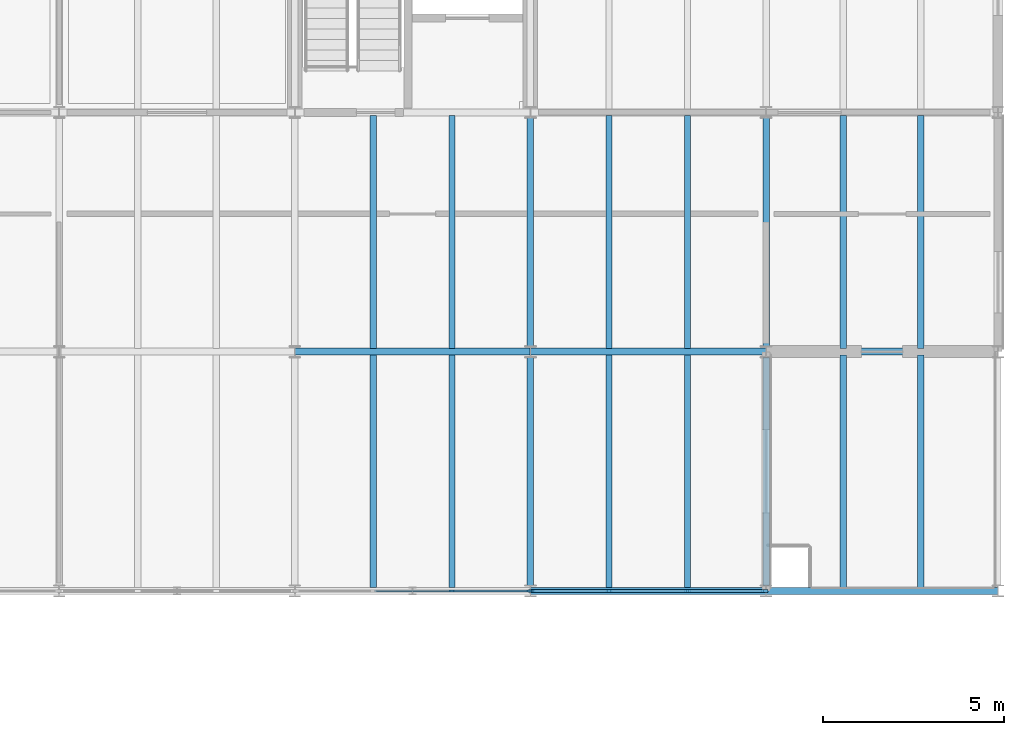
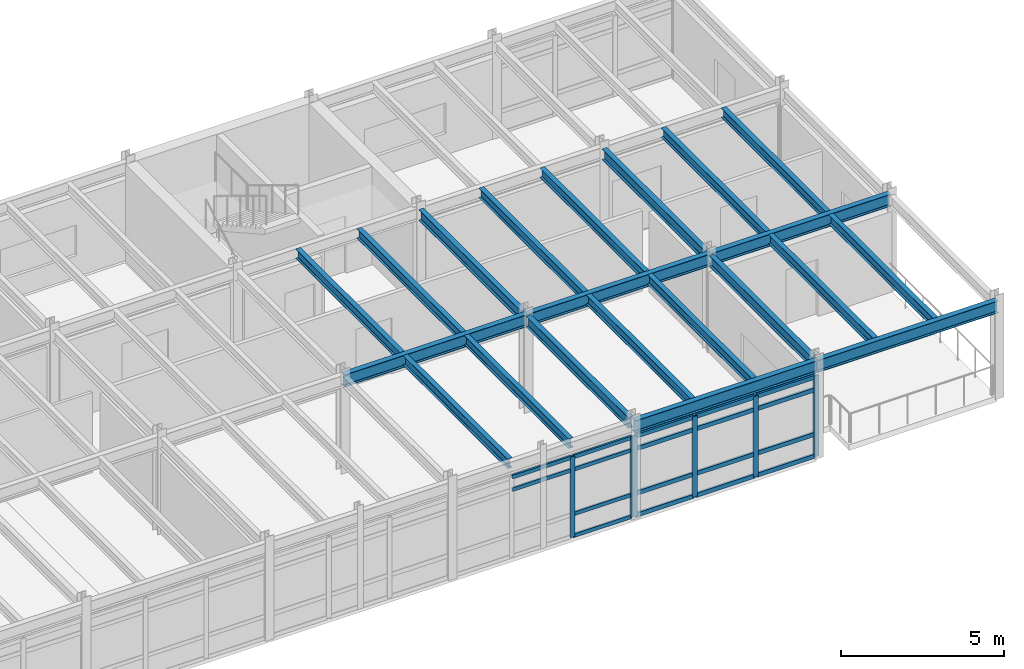
# One storey, part 23 of 49: 24 members, 21 beams, 2 elements without a shape of their own.
"""IFC4 building model written with IfcOpenShell, lengths in metres."""

import ifcopenshell
import ifcopenshell.guid

model = None  # the IFC model being written
_history = None  # IfcOwnerHistory: only IFC2X3 demands one
_inside = {}  # id of a spatial element -> (the spatial element, [elements in it])
_under = {}  # id of a project, library or spatial element -> (it, [spatial elements below it])
_declared = {}  # id of a project -> (the project, [libraries it declares])
_typed = {}  # id of a type object -> (the type object, [elements of that type])
_made_of = {}  # id of a material, layer set ... -> (it, [elements and type objects made of it])


def new_model(schema):
    """Start an empty IFC model of exactly this schema.

    Asked for "IFC4X3", IfcOpenShell would pick the latest addendum, in which some entities
    have other attributes; the version numbers below select the first issue.
    IFC2X3 requires an IfcOwnerHistory on every rooted entity: one is made here for all.
    """
    global model, _history
    if schema == "IFC4X3":
        model = ifcopenshell.file(schema_version=(4, 3, 0, 0))
    else:
        model = ifcopenshell.file(schema=schema)
    _inside.clear()
    _under.clear()
    _declared.clear()
    _typed.clear()
    _made_of.clear()
    _history = None
    if model.schema == "IFC2X3":
        org = make("IfcOrganization", Name="unknown")
        user = make(
            "IfcPersonAndOrganization",
            ThePerson=make("IfcPerson", FamilyName="unknown"),
            TheOrganization=org,
        )
        app = make(
            "IfcApplication",
            ApplicationDeveloper=org,
            Version="unknown",
            ApplicationFullName="unknown",
            ApplicationIdentifier="unknown",
        )
        _history = make(
            "IfcOwnerHistory",
            OwningUser=user,
            OwningApplication=app,
            ChangeAction="ADDED",
            CreationDate=0,
        )
    return model


def make(cls, **values):
    """One entity of the class cls with the attributes given. An attribute that is None is left unset."""
    return model.create_entity(
        cls, **{name: value for name, value in values.items() if value is not None}
    )


def rooted(cls, **values):
    """An entity with a GlobalId (a new one), such as an element, a storey or a relation."""
    return make(cls, GlobalId=ifcopenshell.guid.new(), OwnerHistory=_history, **values)


def si_unit(unit_type, name, prefix=None):
    """IfcSIUnit, for example si_unit("LENGTHUNIT", "METRE", prefix="MILLI")."""
    return make("IfcSIUnit", UnitType=unit_type, Prefix=prefix, Name=name)


def assignment(units):
    """IfcUnitAssignment: the units of a project."""
    return None if units is None else make("IfcUnitAssignment", Units=units)


def point(xyz):
    """IfcCartesianPoint."""
    return None if xyz is None else make("IfcCartesianPoint", Coordinates=xyz)


def direction(xyz):
    """IfcDirection."""
    return None if xyz is None else make("IfcDirection", DirectionRatios=xyz)


def frame(location, z_axis=None, x_axis=None):
    """IfcAxis2Placement3D, a coordinate frame: its origin and axes. An axis left out is left unset."""
    return make(
        "IfcAxis2Placement3D",
        Location=point(location),
        Axis=direction(z_axis),
        RefDirection=direction(x_axis),
    )


def frame_2d(location, x_axis=None):
    """IfcAxis2Placement2D, a coordinate frame in the plane: its origin and x axis."""
    return make(
        "IfcAxis2Placement2D", Location=point(location), RefDirection=direction(x_axis)
    )


def origin():
    """The frame at (0, 0, 0) with its axes left unset."""
    return frame((0.0, 0.0, 0.0))


def origin_2d():
    """The frame at (0, 0) in the plane with its x axis left unset."""
    return frame_2d((0.0, 0.0))


def place(relative_to, where):
    """IfcLocalPlacement: puts the frame where relative to a parent placement (None: the world)."""
    return make(
        "IfcLocalPlacement", PlacementRelTo=relative_to, RelativePlacement=where
    )


def context(
    kind, dimensions, precision=None, world=None, true_north=None, identifier=None
):
    """IfcGeometricRepresentationContext, for example the 3D "Model" context."""
    return make(
        "IfcGeometricRepresentationContext",
        ContextIdentifier=identifier,
        ContextType=kind,
        CoordinateSpaceDimension=dimensions,
        Precision=precision,
        WorldCoordinateSystem=world,
        TrueNorth=true_north,
    )


def subcontext(parent, identifier, kind, view, scale=None):
    """IfcGeometricRepresentationSubContext, for example "Body" below "Model"."""
    return make(
        "IfcGeometricRepresentationSubContext",
        ContextIdentifier=identifier,
        ContextType=kind,
        ParentContext=parent,
        TargetScale=scale,
        TargetView=view,
    )


def project(units=None, contexts=None):
    """IfcProject with its units and contexts."""
    return rooted(
        "IfcProject",
        Name="project",
        RepresentationContexts=contexts,
        UnitsInContext=assignment(units),
    )


def spatial(cls, under=None, at=None, **own):
    """A site, building, storey or space (cls), placed at a placement, below another one or the project."""
    s = rooted(cls, ObjectPlacement=at, **own)
    if under is not None:
        _under.setdefault(under.id(), (under, []))[1].append(s)
    return s


def profile(cls, at=None, kind="AREA", **sizes):
    """A parametric profile (cls). Its sizes go by their IFC names, for example OverallWidth=200.0."""
    return make(cls, ProfileType=kind, Position=at, **sizes)


def rectangle(**sizes):
    """IfcRectangleProfileDef."""
    return profile("IfcRectangleProfileDef", **sizes)


def i_section(**sizes):
    """IfcIShapeProfileDef."""
    return profile("IfcIShapeProfileDef", **sizes)


def extrude(swept, where, along, depth):
    """IfcExtrudedAreaSolid: the profile swept, set in the frame where, extruded along a direction by depth."""
    return make(
        "IfcExtrudedAreaSolid",
        SweptArea=swept,
        Position=where,
        ExtrudedDirection=direction(along),
        Depth=depth,
    )


def shape(context_of_items, identifier, shape_type, items):
    """IfcShapeRepresentation: the items that make up one representation, for example the "Body"."""
    return make(
        "IfcShapeRepresentation",
        ContextOfItems=context_of_items,
        RepresentationIdentifier=identifier,
        RepresentationType=shape_type,
        Items=items,
    )


def material(Name=None, Category=None):
    """IfcMaterial."""
    return make("IfcMaterial", Name=Name, Category=Category)


def layer(
    of_material, thickness, ventilated=None, Name=None, Category=None, Priority=None
):
    """IfcMaterialLayer: one layer of a wall or slab, of a material (None: an air gap)."""
    return make(
        "IfcMaterialLayer",
        Material=of_material,
        LayerThickness=thickness,
        IsVentilated=ventilated,
        Name=Name,
        Category=Category,
        Priority=Priority,
    )


def layer_set(layers, Name=None):
    """IfcMaterialLayerSet."""
    return make("IfcMaterialLayerSet", MaterialLayers=layers, LayerSetName=Name)


def material_profile(
    of_material, cross_section, Name=None, Category=None, Priority=None
):
    """IfcMaterialProfile: a cross section and its material."""
    return make(
        "IfcMaterialProfile",
        Name=Name,
        Material=of_material,
        Profile=cross_section,
        Priority=Priority,
        Category=Category,
    )


def profile_set(profiles, Name=None, composite=None):
    """IfcMaterialProfileSet."""
    return make(
        "IfcMaterialProfileSet",
        Name=Name,
        MaterialProfiles=profiles,
        CompositeProfile=composite,
    )


def made_of(thing, what):
    """Note that an element or type object is made of a material, layer set ...; save() writes the relation."""
    if what is not None:
        _made_of.setdefault(what.id(), (what, []))[1].append(thing)
    return thing


def type_object(cls, material=None, **own):
    """A type object (cls), such as IfcWallType, which elements share."""
    return made_of(rooted(cls, **own), material)


def element(
    cls,
    number,
    at=None,
    inside=None,
    cuts=None,
    type_object=None,
    material=None,
    context=None,
    identifier="Body",
    shape_type=None,
    held_by="IfcProductDefinitionShape",
    body=None,
    shapes=None,
    **own,
):
    """One element of the class cls, such as IfcWall. Its Tag is "e" and its number.

    at: its placement. inside: the storey or other place that contains it. cuts: it is an
    opening in that element (IfcRelVoidsElement). A single representation is given by context,
    identifier, shape_type and body (its items); several are given by shapes. held_by: the class
    of the entity that holds the representations. save() writes the other relations.
    """
    e = rooted(cls, Tag="e%d" % number, ObjectPlacement=at, **own)
    if body is not None:
        shapes = [shape(context, identifier, shape_type, body)]
    if shapes is not None:
        e.Representation = make(held_by, Representations=shapes)
    if inside is not None:
        _inside.setdefault(inside.id(), (inside, []))[1].append(e)
    if cuts is not None:
        rooted(
            "IfcRelVoidsElement", RelatingBuildingElement=cuts, RelatedOpeningElement=e
        )
    if type_object is not None:
        _typed.setdefault(type_object.id(), (type_object, []))[1].append(e)
    return made_of(e, material)


def aggregate(whole, parts):
    """IfcRelAggregates: a whole, such as a stair, and the parts it consists of."""
    return rooted("IfcRelAggregates", RelatingObject=whole, RelatedObjects=parts)


def save(model, path):
    """Write the relations noted so far, then the file.

    IfcRelAggregates (storeys below a building ...), IfcRelContainedInSpatialStructure (elements
    in a storey), IfcRelDefinesByType, IfcRelAssociatesMaterial and IfcRelDeclares: one each for
    every whole, place, type object, material and project.
    """
    for whole, parts in _under.values():
        aggregate(whole, parts)
    for where, things in _inside.values():
        rooted(
            "IfcRelContainedInSpatialStructure",
            RelatedElements=things,
            RelatingStructure=where,
        )
    for kind, things in _typed.values():
        rooted("IfcRelDefinesByType", RelatedObjects=things, RelatingType=kind)
    for what, things in _made_of.values():
        rooted("IfcRelAssociatesMaterial", RelatedObjects=things, RelatingMaterial=what)
    for by, libraries in _declared.values():
        rooted("IfcRelDeclares", RelatingContext=by, RelatedDefinitions=libraries)
    model.write(path)


model = new_model("IFC4")

# Units and contexts
model_context = context("Model", 3, precision=1e-05, world=origin(), true_north=direction((0.0, 1.0)))
body_context = subcontext(model_context, "Body", "Model", "MODEL_VIEW")
ifc_project = project(units=[si_unit("LENGTHUNIT", "METRE"), si_unit("AREAUNIT", "SQUARE_METRE"), si_unit("VOLUMEUNIT", "CUBIC_METRE"), si_unit("PLANEANGLEUNIT", "RADIAN"), si_unit("MASSUNIT", "GRAM", prefix="KILO")], contexts=[model_context])

# Site, building, storey
site_placement = place(None, origin())
site = spatial("IfcSite", under=ifc_project, at=site_placement, CompositionType="ELEMENT")
building_placement = place(site_placement, origin())
building = spatial("IfcBuilding", under=site, at=building_placement, Name="Trelmorton Wharf Fire Station", CompositionType="ELEMENT")
storey_placement = place(building_placement, frame((0.0, 0.0, 9.60009765625)))
storey = spatial("IfcBuildingStorey", under=building, at=storey_placement, Name="L02", CompositionType="ELEMENT", Elevation=9.60009765625)

# Beams
ifc_material_1 = material(Name="Steel Grade 350", Category="steel")
ifc_material_profile_1 = material_profile(ifc_material_1, i_section(OverallWidth=0.177978515625, OverallDepth=0.406005859375, WebThickness=0.0078125, FlangeThickness=0.0126953125, FilletRadius=0.011474609375, at=origin_2d()), Name="410UB59.7")
ifc_profile_set_1 = profile_set([ifc_material_profile_1], Name="Steel Grade 350")
beam_type_1 = type_object("IfcBeamType", Name="BM_410UB60", PredefinedType="BEAM", material=ifc_profile_set_1)
beam_1_placement = place(storey_placement, frame((149.5, 7.95654296875, 3.427001953125), z_axis=(0.0, 1.0, 0.0), x_axis=(-1.0, 0.0, 0.0)))
element("IfcBeam", 1, at=beam_1_placement, inside=storey, type_object=beam_type_1, Name="BM-L02-0855", PredefinedType="BEAM", context=body_context, shape_type="SweptSolid", body=[
    extrude(i_section(OverallWidth=0.177978515625, OverallDepth=0.406005859375, WebThickness=0.0078125, FlangeThickness=0.0126953125, FilletRadius=0.011474609375, at=origin_2d()), origin(), (0.0, 0.0, 1.0), 6.286865234375),
])
beam_2_placement = place(storey_placement, frame((149.5, 14.556396484375, 3.427001953125), z_axis=(0.0, 1.0, 0.0), x_axis=(-1.0, 0.0, 0.0)))
element("IfcBeam", 2, at=beam_2_placement, inside=storey, type_object=beam_type_1, Name="BM-L02-0856", PredefinedType="BEAM", context=body_context, shape_type="SweptSolid", body=[
    extrude(i_section(OverallWidth=0.177978515625, OverallDepth=0.406005859375, WebThickness=0.0078125, FlangeThickness=0.0126953125, FilletRadius=0.011474609375, at=origin_2d()), origin(), (0.0, 0.0, 1.0), 6.287109375),
])
beam_3_placement = place(storey_placement, frame((156.0, 7.95654296875, 3.427001953125), z_axis=(0.0, 1.0, 0.0), x_axis=(-1.0, 0.0, 0.0)))
element("IfcBeam", 3, at=beam_3_placement, inside=storey, type_object=beam_type_1, Name="BM-L02-0861", PredefinedType="BEAM", context=body_context, shape_type="SweptSolid", body=[
    extrude(i_section(OverallWidth=0.177978515625, OverallDepth=0.406005859375, WebThickness=0.0078125, FlangeThickness=0.0126953125, FilletRadius=0.011474609375, at=origin_2d()), origin(), (0.0, 0.0, 1.0), 6.286865234375),
])
beam_4_placement = place(storey_placement, frame((156.0, 14.556396484375, 3.427001953125), z_axis=(0.0, 1.0, 0.0), x_axis=(-1.0, 0.0, 0.0)))
element("IfcBeam", 4, at=beam_4_placement, inside=storey, type_object=beam_type_1, Name="BM-L02-0862", PredefinedType="BEAM", context=body_context, shape_type="SweptSolid", body=[
    extrude(i_section(OverallWidth=0.177978515625, OverallDepth=0.406005859375, WebThickness=0.0078125, FlangeThickness=0.0126953125, FilletRadius=0.011474609375, at=origin_2d()), origin(), (0.0, 0.0, 1.0), 6.287109375),
])
ifc_material_profile_2 = material_profile(ifc_material_1, i_section(OverallWidth=0.19091796875, OverallDepth=0.4599609375, WebThickness=0.010009765625, FlangeThickness=0.01611328125, FilletRadius=0.011474609375, at=origin_2d()), Name="460UB82.1")
ifc_profile_set_2 = profile_set([ifc_material_profile_2], Name="Steel Grade 350")
beam_type_2 = type_object("IfcBeamType", Name="BM_460UB82", PredefinedType="BEAM", material=ifc_profile_set_2)
for number, where, z_axis, x_axis, name in (
    (5, (143.0048828125, 14.39990234375, 3.39990234375), (1.0, 0.0, 0.0), (0.0, 1.0, 0.0), "BM-L02-0701"),
    (6, (149.5048828125, 14.39990234375, 3.39990234375), (1.0, 0.0, 0.0), (0.0, 1.0, 0.0), "BM-L02-0702"),
):
    element("IfcBeam", number, at=place(storey_placement, frame(where, z_axis=z_axis, x_axis=x_axis)), inside=storey, type_object=beam_type_2, Name=name, PredefinedType="BEAM", context=body_context, shape_type="SweptSolid", body=[
        extrude(i_section(OverallWidth=0.19091796875, OverallDepth=0.4599609375, WebThickness=0.010009765625, FlangeThickness=0.01611328125, FilletRadius=0.011474609375, at=origin_2d()), origin(), (0.0, 0.0, 1.0), 6.490234375),
    ])
beam_5_placement = place(storey_placement, frame((156.0048828125, 14.39990234375, 3.39990234375), z_axis=(1.0, 0.0, 0.0), x_axis=(0.0, 1.0, 0.0)))
element("IfcBeam", 7, at=beam_5_placement, inside=storey, type_object=beam_type_2, Name="BM-L02-0703", PredefinedType="BEAM", context=body_context, shape_type="SweptSolid", body=[
    extrude(i_section(OverallWidth=0.19091796875, OverallDepth=0.4599609375, WebThickness=0.010009765625, FlangeThickness=0.01611328125, FilletRadius=0.011474609375, at=origin_2d()), origin(), (0.0, 0.0, 1.0), 6.39013671875),
])

# Curtain wall, members
ifc_material_2 = material(Name="Anodised aluminium AW-6063", Category="aluminium")
ifc_layer_1 = layer(ifc_material_2, 0.159912109375)
ifc_layer_set_1 = layer_set([ifc_layer_1], Name="Anodised aluminium AW-6063")
curtain_wall_type_1 = type_object("IfcCurtainWallType", Name="CW_CHIC_A", PredefinedType="USERDEFINED", material=ifc_layer_set_1)
curtain_wall_1_placement = place(storey_placement, origin())
curtain_wall_1 = element("IfcCurtainWall", 8, at=curtain_wall_1_placement, inside=storey, type_object=curtain_wall_type_1, Name="CW-V5-L02-055", ObjectType="CHICAGO BAY CURTAIN WALL", PredefinedType="USERDEFINED")
ifc_material_profile_3 = material_profile(ifc_material_2, rectangle(XDim=0.06494140625, YDim=0.159912109375, at=origin_2d()), Name="ALU-65x160")
ifc_profile_set_3 = profile_set([ifc_material_profile_3], Name="Anodised aluminium AW-6063")
member_type_1 = type_object("IfcMemberType", Name="CWM_65x160", PredefinedType="MULLION", material=ifc_profile_set_3)
member_1_placement = place(storey_placement, frame((149.465087890625, 7.800048828125, 0.0), z_axis=(0.0, 0.0, 1.0), x_axis=(0.0, -1.0, 0.0)))
member_1 = element("IfcMember", 9, at=member_1_placement, type_object=member_type_1, Name="CW1 mullion 1", PredefinedType="MULLION", context=body_context, shape_type="SweptSolid", body=[
    extrude(rectangle(XDim=0.06494140625, YDim=0.159912109375, at=origin_2d()), origin(), (0.0, 0.0, 1.0), 3.02001953125),
])
member_2_placement = place(storey_placement, frame((147.331787109375, 7.800048828125, 0.0), z_axis=(0.0, 0.0, 1.0), x_axis=(0.0, -1.0, 0.0)))
member_2 = element("IfcMember", 10, at=member_2_placement, type_object=member_type_1, Name="CW1 mullion 2", PredefinedType="MULLION", context=body_context, shape_type="SweptSolid", body=[
    extrude(rectangle(XDim=0.06494140625, YDim=0.159912109375, at=origin_2d()), origin(), (0.0, 0.0, 1.0), 3.02001953125),
])

ifc_layer_2 = layer(ifc_material_2, 0.175048828125)
ifc_layer_set_2 = layer_set([ifc_layer_2], Name="Anodised aluminium AW-6063")
curtain_wall_type_2 = type_object("IfcCurtainWallType", Name="CW_CHIC_B", PredefinedType="USERDEFINED", material=ifc_layer_set_2)
curtain_wall_2_placement = place(storey_placement, origin())
curtain_wall_2 = element("IfcCurtainWall", 11, at=curtain_wall_2_placement, inside=storey, type_object=curtain_wall_type_2, Name="CW-V5-L02-056", ObjectType="CHICAGO BAY CURTAIN WALL", PredefinedType="USERDEFINED")
ifc_material_profile_4 = material_profile(ifc_material_2, rectangle(XDim=0.074951171875, YDim=0.175048828125, at=origin_2d()), Name="ALU-75x175")
ifc_profile_set_4 = profile_set([ifc_material_profile_4], Name="Anodised aluminium AW-6063")
member_type_2 = type_object("IfcMemberType", Name="CWM_75x175", PredefinedType="MULLION", material=ifc_profile_set_4)
member_3_placement = place(storey_placement, frame((155.965087890625, 7.800048828125, 0.0), z_axis=(0.0, 0.0, 1.0), x_axis=(0.0, -1.0, 0.0)))
member_3 = element("IfcMember", 12, at=member_3_placement, type_object=member_type_2, Name="CW2 mullion 1", PredefinedType="MULLION", context=body_context, shape_type="SweptSolid", body=[
    extrude(rectangle(XDim=0.074951171875, YDim=0.175048828125, at=origin_2d()), origin(), (0.0, 0.0, 1.0), 3.02001953125),
])
member_4_placement = place(storey_placement, frame((153.831787109375, 7.800048828125, 0.0), z_axis=(0.0, 0.0, 1.0), x_axis=(0.0, -1.0, 0.0)))
member_4 = element("IfcMember", 13, at=member_4_placement, type_object=member_type_2, Name="CW2 mullion 2", PredefinedType="MULLION", context=body_context, shape_type="SweptSolid", body=[
    extrude(rectangle(XDim=0.074951171875, YDim=0.175048828125, at=origin_2d()), origin(), (0.0, 0.0, 1.0), 3.02001953125),
])
member_5_placement = place(storey_placement, frame((151.668212890625, 7.800048828125, 0.0), z_axis=(0.0, 0.0, 1.0), x_axis=(0.0, -1.0, 0.0)))
member_5 = element("IfcMember", 14, at=member_5_placement, type_object=member_type_2, Name="CW2 mullion 3", PredefinedType="MULLION", context=body_context, shape_type="SweptSolid", body=[
    extrude(rectangle(XDim=0.074951171875, YDim=0.175048828125, at=origin_2d()), origin(), (0.0, 0.0, 1.0), 3.02001953125),
])
member_6_placement = place(storey_placement, frame((149.534912109375, 7.800048828125, 0.0), z_axis=(0.0, 0.0, 1.0), x_axis=(0.0, -1.0, 0.0)))
member_6 = element("IfcMember", 15, at=member_6_placement, type_object=member_type_2, Name="CW2 mullion 4", PredefinedType="MULLION", context=body_context, shape_type="SweptSolid", body=[
    extrude(rectangle(XDim=0.074951171875, YDim=0.175048828125, at=origin_2d()), origin(), (0.0, 0.0, 1.0), 3.02001953125),
])

# Member
ifc_material_profile_5 = material_profile(ifc_material_2, rectangle(XDim=0.06494140625, YDim=0.139892578125, at=origin_2d()), Name="ALU-65x140")
ifc_profile_set_5 = profile_set([ifc_material_profile_5], Name="Anodised aluminium AW-6063")
member_type_3 = type_object("IfcMemberType", Name="CWT_65x140", PredefinedType="USERDEFINED", material=ifc_profile_set_5)
member_7_placement = place(storey_placement, frame((149.43505859375, 7.800048828125, 0.02978515625), z_axis=(-1.0, 0.0, 0.0), x_axis=(0.0, -1.0, 0.0)))
member_7 = element("IfcMember", 16, at=member_7_placement, type_object=member_type_3, Name="CW1 transom 1.1", ObjectType="TRANSOM", PredefinedType="USERDEFINED", context=body_context, shape_type="SweptSolid", body=[
    extrude(rectangle(XDim=0.06494140625, YDim=0.139892578125, at=origin_2d()), origin(), (0.0, 0.0, 1.0), 2.073486328125),
])

member_8_placement = place(storey_placement, frame((149.43505859375, 7.800048828125, 0.849853515625), z_axis=(-1.0, 0.0, 0.0), x_axis=(0.0, -1.0, 0.0)))
member_8 = element("IfcMember", 17, at=member_8_placement, type_object=member_type_3, Name="CW1 transom 1.2", ObjectType="TRANSOM", PredefinedType="USERDEFINED", context=body_context, shape_type="SweptSolid", body=[
    extrude(rectangle(XDim=0.06494140625, YDim=0.139892578125, at=origin_2d()), origin(), (0.0, 0.0, 1.0), 2.073486328125),
])

member_9_placement = place(storey_placement, frame((149.43505859375, 7.800048828125, 2.52001953125), z_axis=(-1.0, 0.0, 0.0), x_axis=(0.0, -1.0, 0.0)))
member_9 = element("IfcMember", 18, at=member_9_placement, type_object=member_type_3, Name="CW1 transom 1.3", ObjectType="TRANSOM", PredefinedType="USERDEFINED", context=body_context, shape_type="SweptSolid", body=[
    extrude(rectangle(XDim=0.06494140625, YDim=0.139892578125, at=origin_2d()), origin(), (0.0, 0.0, 1.0), 2.073486328125),
])

member_10_placement = place(storey_placement, frame((149.43505859375, 7.800048828125, 2.989990234375), z_axis=(-1.0, 0.0, 0.0), x_axis=(0.0, -1.0, 0.0)))
member_10 = element("IfcMember", 19, at=member_10_placement, type_object=member_type_3, Name="CW1 transom 1.4", ObjectType="TRANSOM", PredefinedType="USERDEFINED", context=body_context, shape_type="SweptSolid", body=[
    extrude(rectangle(XDim=0.06494140625, YDim=0.139892578125, at=origin_2d()), origin(), (0.0, 0.0, 1.0), 2.073486328125),
])

member_11_placement = place(storey_placement, frame((147.3017578125, 7.800048828125, 2.52001953125), z_axis=(-1.0, 0.0, 0.0), x_axis=(0.0, -1.0, 0.0)))
member_11 = element("IfcMember", 20, at=member_11_placement, type_object=member_type_3, Name="CW1 transom 2.3", ObjectType="TRANSOM", PredefinedType="USERDEFINED", context=body_context, shape_type="SweptSolid", body=[
    extrude(rectangle(XDim=0.06494140625, YDim=0.139892578125, at=origin_2d()), origin(), (0.0, 0.0, 1.0), 2.103515625),
])

member_12_placement = place(storey_placement, frame((147.3017578125, 7.800048828125, 2.989990234375), z_axis=(-1.0, 0.0, 0.0), x_axis=(0.0, -1.0, 0.0)))
member_12 = element("IfcMember", 21, at=member_12_placement, type_object=member_type_3, Name="CW1 transom 2.4", ObjectType="TRANSOM", PredefinedType="USERDEFINED", context=body_context, shape_type="SweptSolid", body=[
    extrude(rectangle(XDim=0.06494140625, YDim=0.139892578125, at=origin_2d()), origin(), (0.0, 0.0, 1.0), 2.103515625),
])

aggregate(curtain_wall_1, [member_1, member_2, member_7, member_8, member_9, member_10, member_11, member_12])

ifc_material_profile_6 = material_profile(ifc_material_2, rectangle(XDim=0.074951171875, YDim=0.155029296875, at=origin_2d()), Name="ALU-75x155")
ifc_profile_set_6 = profile_set([ifc_material_profile_6], Name="Anodised aluminium AW-6063")
member_type_4 = type_object("IfcMemberType", Name="CWT_75x155", PredefinedType="USERDEFINED", material=ifc_profile_set_6)
member_13_placement = place(storey_placement, frame((155.93505859375, 7.800048828125, 0.02978515625), z_axis=(-1.0, 0.0, 0.0), x_axis=(0.0, -1.0, 0.0)))
member_13 = element("IfcMember", 22, at=member_13_placement, type_object=member_type_4, Name="CW2 transom 1.1", ObjectType="TRANSOM", PredefinedType="USERDEFINED", context=body_context, shape_type="SweptSolid", body=[
    extrude(rectangle(XDim=0.074951171875, YDim=0.155029296875, at=origin_2d()), origin(), (0.0, 0.0, 1.0), 2.073486328125),
])

member_14_placement = place(storey_placement, frame((155.93505859375, 7.800048828125, 0.849853515625), z_axis=(-1.0, 0.0, 0.0), x_axis=(0.0, -1.0, 0.0)))
member_14 = element("IfcMember", 23, at=member_14_placement, type_object=member_type_4, Name="CW2 transom 1.2", ObjectType="TRANSOM", PredefinedType="USERDEFINED", context=body_context, shape_type="SweptSolid", body=[
    extrude(rectangle(XDim=0.074951171875, YDim=0.155029296875, at=origin_2d()), origin(), (0.0, 0.0, 1.0), 2.073486328125),
])

member_15_placement = place(storey_placement, frame((155.93505859375, 7.800048828125, 2.52001953125), z_axis=(-1.0, 0.0, 0.0), x_axis=(0.0, -1.0, 0.0)))
member_15 = element("IfcMember", 24, at=member_15_placement, type_object=member_type_4, Name="CW2 transom 1.3", ObjectType="TRANSOM", PredefinedType="USERDEFINED", context=body_context, shape_type="SweptSolid", body=[
    extrude(rectangle(XDim=0.074951171875, YDim=0.155029296875, at=origin_2d()), origin(), (0.0, 0.0, 1.0), 2.073486328125),
])

member_16_placement = place(storey_placement, frame((155.93505859375, 7.800048828125, 2.989990234375), z_axis=(-1.0, 0.0, 0.0), x_axis=(0.0, -1.0, 0.0)))
member_16 = element("IfcMember", 25, at=member_16_placement, type_object=member_type_4, Name="CW2 transom 1.4", ObjectType="TRANSOM", PredefinedType="USERDEFINED", context=body_context, shape_type="SweptSolid", body=[
    extrude(rectangle(XDim=0.074951171875, YDim=0.155029296875, at=origin_2d()), origin(), (0.0, 0.0, 1.0), 2.073486328125),
])

member_17_placement = place(storey_placement, frame((153.8017578125, 7.800048828125, 0.02978515625), z_axis=(-1.0, 0.0, 0.0), x_axis=(0.0, -1.0, 0.0)))
member_17 = element("IfcMember", 26, at=member_17_placement, type_object=member_type_4, Name="CW2 transom 2.1", ObjectType="TRANSOM", PredefinedType="USERDEFINED", context=body_context, shape_type="SweptSolid", body=[
    extrude(rectangle(XDim=0.074951171875, YDim=0.155029296875, at=origin_2d()), origin(), (0.0, 0.0, 1.0), 2.103515625),
])

member_18_placement = place(storey_placement, frame((153.8017578125, 7.800048828125, 0.849853515625), z_axis=(-1.0, 0.0, 0.0), x_axis=(0.0, -1.0, 0.0)))
member_18 = element("IfcMember", 27, at=member_18_placement, type_object=member_type_4, Name="CW2 transom 2.2", ObjectType="TRANSOM", PredefinedType="USERDEFINED", context=body_context, shape_type="SweptSolid", body=[
    extrude(rectangle(XDim=0.074951171875, YDim=0.155029296875, at=origin_2d()), origin(), (0.0, 0.0, 1.0), 2.103515625),
])

member_19_placement = place(storey_placement, frame((153.8017578125, 7.800048828125, 2.52001953125), z_axis=(-1.0, 0.0, 0.0), x_axis=(0.0, -1.0, 0.0)))
member_19 = element("IfcMember", 28, at=member_19_placement, type_object=member_type_4, Name="CW2 transom 2.3", ObjectType="TRANSOM", PredefinedType="USERDEFINED", context=body_context, shape_type="SweptSolid", body=[
    extrude(rectangle(XDim=0.074951171875, YDim=0.155029296875, at=origin_2d()), origin(), (0.0, 0.0, 1.0), 2.103515625),
])

member_20_placement = place(storey_placement, frame((153.8017578125, 7.800048828125, 2.989990234375), z_axis=(-1.0, 0.0, 0.0), x_axis=(0.0, -1.0, 0.0)))
member_20 = element("IfcMember", 29, at=member_20_placement, type_object=member_type_4, Name="CW2 transom 2.4", ObjectType="TRANSOM", PredefinedType="USERDEFINED", context=body_context, shape_type="SweptSolid", body=[
    extrude(rectangle(XDim=0.074951171875, YDim=0.155029296875, at=origin_2d()), origin(), (0.0, 0.0, 1.0), 2.103515625),
])

member_21_placement = place(storey_placement, frame((151.638427734375, 7.800048828125, 0.02978515625), z_axis=(-1.0, 0.0, 0.0), x_axis=(0.0, -1.0, 0.0)))
member_21 = element("IfcMember", 30, at=member_21_placement, type_object=member_type_4, Name="CW2 transom 3.1", ObjectType="TRANSOM", PredefinedType="USERDEFINED", context=body_context, shape_type="SweptSolid", body=[
    extrude(rectangle(XDim=0.074951171875, YDim=0.155029296875, at=origin_2d()), origin(), (0.0, 0.0, 1.0), 2.073486328125),
])

member_22_placement = place(storey_placement, frame((151.638427734375, 7.800048828125, 0.849853515625), z_axis=(-1.0, 0.0, 0.0), x_axis=(0.0, -1.0, 0.0)))
member_22 = element("IfcMember", 31, at=member_22_placement, type_object=member_type_4, Name="CW2 transom 3.2", ObjectType="TRANSOM", PredefinedType="USERDEFINED", context=body_context, shape_type="SweptSolid", body=[
    extrude(rectangle(XDim=0.074951171875, YDim=0.155029296875, at=origin_2d()), origin(), (0.0, 0.0, 1.0), 2.073486328125),
])

member_23_placement = place(storey_placement, frame((151.638427734375, 7.800048828125, 2.52001953125), z_axis=(-1.0, 0.0, 0.0), x_axis=(0.0, -1.0, 0.0)))
member_23 = element("IfcMember", 32, at=member_23_placement, type_object=member_type_4, Name="CW2 transom 3.3", ObjectType="TRANSOM", PredefinedType="USERDEFINED", context=body_context, shape_type="SweptSolid", body=[
    extrude(rectangle(XDim=0.074951171875, YDim=0.155029296875, at=origin_2d()), origin(), (0.0, 0.0, 1.0), 2.073486328125),
])

member_24_placement = place(storey_placement, frame((151.638427734375, 7.800048828125, 2.989990234375), z_axis=(-1.0, 0.0, 0.0), x_axis=(0.0, -1.0, 0.0)))
member_24 = element("IfcMember", 33, at=member_24_placement, type_object=member_type_4, Name="CW2 transom 3.4", ObjectType="TRANSOM", PredefinedType="USERDEFINED", context=body_context, shape_type="SweptSolid", body=[
    extrude(rectangle(XDim=0.074951171875, YDim=0.155029296875, at=origin_2d()), origin(), (0.0, 0.0, 1.0), 2.073486328125),
])

aggregate(curtain_wall_2, [member_3, member_4, member_5, member_6, member_13, member_14, member_15, member_16, member_17, member_18, member_19, member_20, member_21, member_22, member_23, member_24])

# Beams
ifc_material_profile_7 = material_profile(ifc_material_1, i_section(OverallWidth=0.172119140625, OverallDepth=0.35888671875, WebThickness=0.008056640625, FlangeThickness=0.012939453125, FilletRadius=0.011474609375, at=origin_2d()), Name="360UB56.7")
ifc_profile_set_7 = profile_set([ifc_material_profile_7], Name="Steel Grade 350")
beam_type_3 = type_object("IfcBeamType", Name="JS_360UB57", PredefinedType="JOIST", material=ifc_profile_set_7)
for number, where, z_axis, x_axis, name in (
    (34, (145.166748046875, 7.889892578125, 3.450439453125), (0.0, 1.0, 0.0), (-1.0, 0.0, 0.0), "JS-L02-0303"),
    (35, (147.333251953125, 7.889892578125, 3.450439453125), (0.0, 1.0, 0.0), (-1.0, 0.0, 0.0), "JS-L02-0304"),
):
    element("IfcBeam", number, at=place(storey_placement, frame(where, z_axis=z_axis, x_axis=x_axis)), inside=storey, type_object=beam_type_3, Name=name, PredefinedType="JOIST", context=body_context, shape_type="SweptSolid", body=[
        extrude(i_section(OverallWidth=0.172119140625, OverallDepth=0.35888671875, WebThickness=0.008056640625, FlangeThickness=0.012939453125, FilletRadius=0.011474609375, at=origin_2d()), origin(), (0.0, 0.0, 1.0), 6.420166015625),
    ])
for number, where, z_axis, x_axis, name in (
    (36, (145.166748046875, 14.489990234375, 3.450439453125), (0.0, 1.0, 0.0), (-1.0, 0.0, 0.0), "JS-L02-0305"),
    (37, (147.333251953125, 14.489990234375, 3.450439453125), (0.0, 1.0, 0.0), (-1.0, 0.0, 0.0), "JS-L02-0306"),
):
    element("IfcBeam", number, at=place(storey_placement, frame(where, z_axis=z_axis, x_axis=x_axis)), inside=storey, type_object=beam_type_3, Name=name, PredefinedType="JOIST", context=body_context, shape_type="SweptSolid", body=[
        extrude(i_section(OverallWidth=0.172119140625, OverallDepth=0.35888671875, WebThickness=0.008056640625, FlangeThickness=0.012939453125, FilletRadius=0.011474609375, at=origin_2d()), origin(), (0.0, 0.0, 1.0), 6.419921875),
    ])
for number, where, z_axis, x_axis, name in (
    (38, (151.666748046875, 7.889892578125, 3.450439453125), (0.0, 1.0, 0.0), (-1.0, 0.0, 0.0), "JS-L02-0311"),
    (39, (153.833251953125, 7.889892578125, 3.450439453125), (0.0, 1.0, 0.0), (-1.0, 0.0, 0.0), "JS-L02-0312"),
):
    element("IfcBeam", number, at=place(storey_placement, frame(where, z_axis=z_axis, x_axis=x_axis)), inside=storey, type_object=beam_type_3, Name=name, PredefinedType="JOIST", context=body_context, shape_type="SweptSolid", body=[
        extrude(i_section(OverallWidth=0.172119140625, OverallDepth=0.35888671875, WebThickness=0.008056640625, FlangeThickness=0.012939453125, FilletRadius=0.011474609375, at=origin_2d()), origin(), (0.0, 0.0, 1.0), 6.420166015625),
    ])
for number, where, z_axis, x_axis, name in (
    (40, (151.666748046875, 14.489990234375, 3.450439453125), (0.0, 1.0, 0.0), (-1.0, 0.0, 0.0), "JS-L02-0313"),
    (41, (153.833251953125, 14.489990234375, 3.450439453125), (0.0, 1.0, 0.0), (-1.0, 0.0, 0.0), "JS-L02-0314"),
):
    element("IfcBeam", number, at=place(storey_placement, frame(where, z_axis=z_axis, x_axis=x_axis)), inside=storey, type_object=beam_type_3, Name=name, PredefinedType="JOIST", context=body_context, shape_type="SweptSolid", body=[
        extrude(i_section(OverallWidth=0.172119140625, OverallDepth=0.35888671875, WebThickness=0.008056640625, FlangeThickness=0.012939453125, FilletRadius=0.011474609375, at=origin_2d()), origin(), (0.0, 0.0, 1.0), 6.419921875),
    ])
for number, where, z_axis, x_axis, name in (
    (42, (158.13330078125, 7.889892578125, 3.450439453125), (0.0, 1.0, 0.0), (-1.0, 0.0, 0.0), "JS-L02-0323"),
    (43, (160.2666015625, 7.889892578125, 3.450439453125), (0.0, 1.0, 0.0), (-1.0, 0.0, 0.0), "JS-L02-0324"),
):
    element("IfcBeam", number, at=place(storey_placement, frame(where, z_axis=z_axis, x_axis=x_axis)), inside=storey, type_object=beam_type_3, Name=name, PredefinedType="JOIST", context=body_context, shape_type="SweptSolid", body=[
        extrude(i_section(OverallWidth=0.172119140625, OverallDepth=0.35888671875, WebThickness=0.008056640625, FlangeThickness=0.012939453125, FilletRadius=0.011474609375, at=origin_2d()), origin(), (0.0, 0.0, 1.0), 6.420166015625),
    ])
for number, where, z_axis, x_axis, name in (
    (44, (158.13330078125, 14.489990234375, 3.450439453125), (0.0, 1.0, 0.0), (-1.0, 0.0, 0.0), "JS-L02-0325"),
    (45, (160.2666015625, 14.489990234375, 3.450439453125), (0.0, 1.0, 0.0), (-1.0, 0.0, 0.0), "JS-L02-0326"),
):
    element("IfcBeam", number, at=place(storey_placement, frame(where, z_axis=z_axis, x_axis=x_axis)), inside=storey, type_object=beam_type_3, Name=name, PredefinedType="JOIST", context=body_context, shape_type="SweptSolid", body=[
        extrude(i_section(OverallWidth=0.172119140625, OverallDepth=0.35888671875, WebThickness=0.008056640625, FlangeThickness=0.012939453125, FilletRadius=0.011474609375, at=origin_2d()), origin(), (0.0, 0.0, 1.0), 6.419921875),
    ])
ifc_material_profile_8 = material_profile(ifc_material_1, i_section(OverallWidth=0.18994140625, OverallDepth=0.45703125, WebThickness=0.009033203125, FlangeThickness=0.014404296875, FilletRadius=0.011474609375, at=origin_2d()), Name="460UB74.6")
ifc_profile_set_8 = profile_set([ifc_material_profile_8], Name="Steel Grade 350")
beam_type_4 = type_object("IfcBeamType", Name="SP_460UB75", PredefinedType="SPANDREL", material=ifc_profile_set_8)
beam_6_placement = place(storey_placement, frame((149.5048828125, 7.800048828125, 3.4013671875), z_axis=(1.0, 0.0, 0.0), x_axis=(0.0, 1.0, 0.0)))
element("IfcBeam", 46, at=beam_6_placement, inside=storey, type_object=beam_type_4, Name="BM-L02-0693", PredefinedType="SPANDREL", context=body_context, shape_type="SweptSolid", body=[
    extrude(i_section(OverallWidth=0.18994140625, OverallDepth=0.45703125, WebThickness=0.009033203125, FlangeThickness=0.014404296875, FilletRadius=0.011474609375, at=origin_2d()), origin(), (0.0, 0.0, 1.0), 6.490234375),
])
beam_7_placement = place(storey_placement, frame((156.0048828125, 7.800048828125, 3.4013671875), z_axis=(1.0, 0.0, 0.0), x_axis=(0.0, 1.0, 0.0)))
element("IfcBeam", 47, at=beam_7_placement, inside=storey, type_object=beam_type_4, Name="BM-L02-0694", PredefinedType="SPANDREL", context=body_context, shape_type="SweptSolid", body=[
    extrude(i_section(OverallWidth=0.18994140625, OverallDepth=0.45703125, WebThickness=0.009033203125, FlangeThickness=0.014404296875, FilletRadius=0.011474609375, at=origin_2d()), origin(), (0.0, 0.0, 1.0), 6.39013671875),
])

save(model, "model.ifc")
